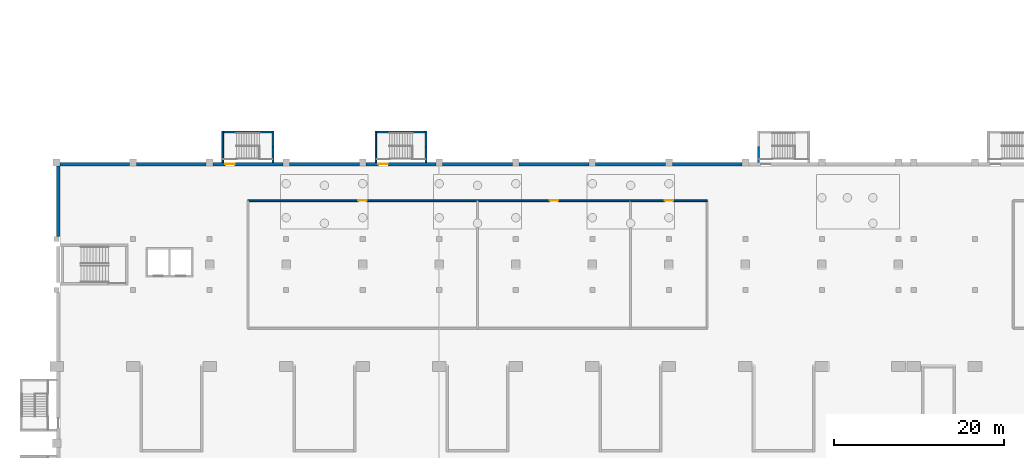
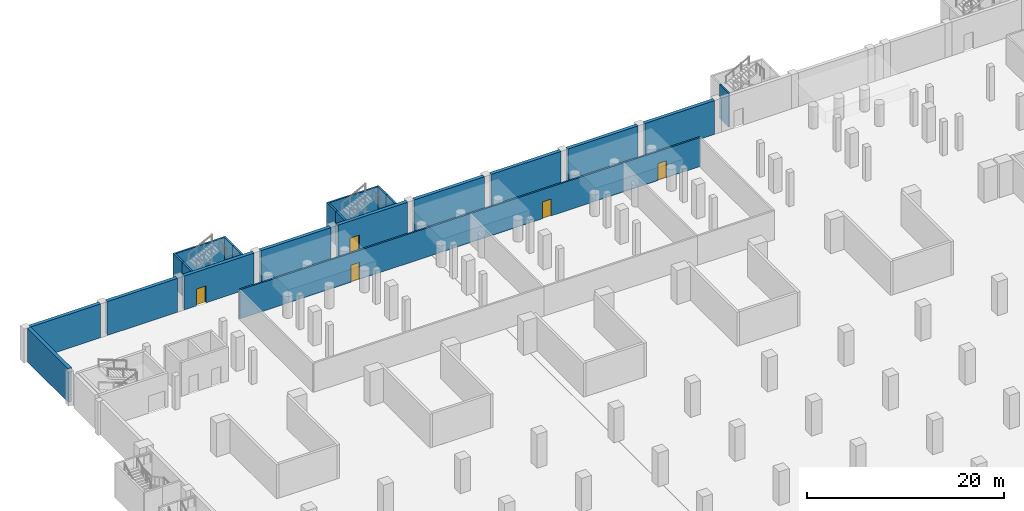
# One storey, part 18 of 27: 24 walls, 5 doors, 5 openings.
"""IFC4 building model written with IfcOpenShell, lengths in metres."""

from ifc_helpers import new_model, si_unit, direction, frame, frame_2d, origin, place, context, subcontext, project, spatial, rectangle, extrude, material, layer, layer_set, type_object, element, fill, save


model = new_model("IFC4")

# Units and contexts
model_context = context("Model", 3, precision=1e-05, world=origin(), true_north=direction((0.0, 1.0)))
body_context = subcontext(model_context, "Body", "Model", "MODEL_VIEW")
ifc_project = project(units=[si_unit("LENGTHUNIT", "METRE"), si_unit("AREAUNIT", "SQUARE_METRE"), si_unit("VOLUMEUNIT", "CUBIC_METRE"), si_unit("PLANEANGLEUNIT", "RADIAN"), si_unit("MASSUNIT", "GRAM", prefix="KILO")], contexts=[model_context])

# Site, building, storey
site_placement = place(None, origin())
site = spatial("IfcSite", under=ifc_project, at=site_placement, CompositionType="ELEMENT")
building_placement = place(site_placement, origin())
building = spatial("IfcBuilding", under=site, at=building_placement, Name="Aravalli Gate Trade Fair Centre", CompositionType="ELEMENT")
storey_placement = place(building_placement, frame((0.0, 0.0, -4.199951171875)))
storey = spatial("IfcBuildingStorey", under=building, at=storey_placement, Name="B1", CompositionType="ELEMENT", Elevation=-4.199951171875)

# Wall, opening, door
ifc_material_1 = material(Name="Concrete M30", Category="concrete")
ifc_layer_1 = layer(ifc_material_1, 0.199951171875)
ifc_layer_set_1 = layer_set([ifc_layer_1], Name="Concrete M30")
wall_type_1 = type_object("IfcWallType", Name="Basement plant room wall 200", PredefinedType="SOLIDWALL", material=ifc_layer_set_1)
wall_1_placement = place(storey_placement, frame((28.5, 128.5, 0.0), z_axis=(0.0, 0.0, 1.0), x_axis=(1.0, 0.0, 0.0)))
wall_1 = element("IfcWall", 1, at=wall_1_placement, inside=storey, type_object=wall_type_1, Name="Basement plant room wall B1 05.1", PredefinedType="SOLIDWALL", context=body_context, shape_type="SweptSolid", body=[
    extrude(rectangle(XDim=27.0, YDim=0.199951171875, at=frame_2d((13.5, 0.0))), origin(), (0.0, 0.0, 1.0), 3.599853515625),
])
opening_1_placement = place(wall_1_placement, frame((13.0, 0.0, 0.0)))
opening_1 = element("IfcOpeningElement", 2, at=opening_1_placement, cuts=wall_1, Name="Opening B-B1-15", PredefinedType="OPENING", context=body_context, shape_type="SweptSolid", body=[
    extrude(rectangle(XDim=1.0, YDim=2.10009765625, at=frame_2d((0.5, 1.050048828125))), frame((0.0, 0.10986328125, 0.0), z_axis=(0.0, -1.0, 0.0), x_axis=(1.0, 0.0, 0.0)), (0.0, 0.0, 1.0), 0.219970703125),
])
ifc_material_2 = material(Name="Steel", Category="steel")
door_type_1 = type_object("IfcDoorType", Name="Basement plant door 1000x2100", OperationType="SINGLE_SWING_LEFT", PredefinedType="DOOR", material=ifc_material_2)
door_1_placement = place(opening_1_placement, frame((1.0, 0.0, 0.0), z_axis=(0.0, 0.0, 1.0), x_axis=(-1.0, 0.0, 0.0)))
door_1 = element("IfcDoor", 3, at=door_1_placement, inside=storey, type_object=door_type_1, Name="Door boh B1", OperationType="SINGLE_SWING_RIGHT", OverallHeight=2.10009765625, OverallWidth=1.0, PredefinedType="DOOR", context=body_context, shape_type="SweptSolid", body=[
    extrude(rectangle(XDim=1.0, YDim=2.10009765625, at=frame_2d((0.5, 1.050048828125))), frame((0.0, 0.02490234375, 0.0), z_axis=(0.0, -1.0, 0.0), x_axis=(1.0, 0.0, 0.0)), (0.0, 0.0, 1.0), 0.050048828125),
])
fill(opening_1, door_1)

wall_2_placement = place(storey_placement, frame((55.5, 128.5, 0.0), z_axis=(0.0, 0.0, 1.0), x_axis=(1.0, 0.0, 0.0)))
wall_2 = element("IfcWall", 4, at=wall_2_placement, inside=storey, type_object=wall_type_1, Name="Basement plant room wall B1 06.1", PredefinedType="SOLIDWALL", context=body_context, shape_type="SweptSolid", body=[
    extrude(rectangle(XDim=18.0, YDim=0.199951171875, at=frame_2d((9.0, 0.0))), origin(), (0.0, 0.0, 1.0), 3.599853515625),
])
opening_2_placement = place(wall_2_placement, frame((8.5, 0.0, 0.0)))
opening_2 = element("IfcOpeningElement", 5, at=opening_2_placement, cuts=wall_2, Name="Opening B-B1-16", PredefinedType="OPENING", context=body_context, shape_type="SweptSolid", body=[
    extrude(rectangle(XDim=1.0, YDim=2.10009765625, at=frame_2d((0.5, 1.050048828125))), frame((0.0, 0.10986328125, 0.0), z_axis=(0.0, -1.0, 0.0), x_axis=(1.0, 0.0, 0.0)), (0.0, 0.0, 1.0), 0.219970703125),
])
door_2_placement = place(opening_2_placement, frame((1.0, 0.0, 0.0), z_axis=(0.0, 0.0, 1.0), x_axis=(-1.0, 0.0, 0.0)))
door_2 = element("IfcDoor", 6, at=door_2_placement, inside=storey, type_object=door_type_1, Name="Door ref B1", OperationType="SINGLE_SWING_LEFT", OverallHeight=2.10009765625, OverallWidth=1.0, PredefinedType="DOOR", context=body_context, shape_type="SweptSolid", body=[
    extrude(rectangle(XDim=1.0, YDim=2.10009765625, at=frame_2d((0.5, 1.050048828125))), frame((0.0, 0.02490234375, 0.0), z_axis=(0.0, -1.0, 0.0), x_axis=(1.0, 0.0, 0.0)), (0.0, 0.0, 1.0), 0.050048828125),
])
fill(opening_2, door_2)

wall_3_placement = place(storey_placement, frame((73.5, 128.5, 0.0), z_axis=(0.0, 0.0, 1.0), x_axis=(1.0, 0.0, 0.0)))
wall_3 = element("IfcWall", 7, at=wall_3_placement, inside=storey, type_object=wall_type_1, Name="Basement plant room wall B1 07.1", PredefinedType="SOLIDWALL", context=body_context, shape_type="SweptSolid", body=[
    extrude(rectangle(XDim=9.0, YDim=0.199951171875, at=frame_2d((4.5, 0.0))), origin(), (0.0, 0.0, 1.0), 3.599853515625),
])
opening_3_placement = place(wall_3_placement, frame((4.0, 0.0, 0.0)))
opening_3 = element("IfcOpeningElement", 8, at=opening_3_placement, cuts=wall_3, Name="Opening B-B1-17", PredefinedType="OPENING", context=body_context, shape_type="SweptSolid", body=[
    extrude(rectangle(XDim=1.0, YDim=2.10009765625, at=frame_2d((0.5, 1.050048828125))), frame((0.0, 0.10986328125, 0.0), z_axis=(0.0, -1.0, 0.0), x_axis=(1.0, 0.0, 0.0)), (0.0, 0.0, 1.0), 0.219970703125),
])
door_3_placement = place(opening_3_placement, origin())
door_3 = element("IfcDoor", 9, at=door_3_placement, inside=storey, type_object=door_type_1, Name="Door sec B1", OperationType="SINGLE_SWING_LEFT", OverallHeight=2.10009765625, OverallWidth=1.0, PredefinedType="DOOR", context=body_context, shape_type="SweptSolid", body=[
    extrude(rectangle(XDim=1.0, YDim=2.10009765625, at=frame_2d((0.5, 1.050048828125))), frame((0.0, 0.02490234375, 0.0), z_axis=(0.0, -1.0, 0.0), x_axis=(1.0, 0.0, 0.0)), (0.0, 0.0, 1.0), 0.050048828125),
])
fill(opening_3, door_3)

# Walls
ifc_material_3 = material(Name="Concrete M40", Category="concrete")
ifc_layer_2 = layer(ifc_material_3, 0.39990234375)
ifc_layer_set_2 = layer_set([ifc_layer_2], Name="Concrete M40")
wall_type_2 = type_object("IfcWallType", Name="Basement retaining wall 400", PredefinedType="SOLIDWALL", material=ifc_layer_set_2)
for number, where, z_axis, x_axis, name in (
    (10, (6.39990234375, 132.800048828125, 0.0), (0.0, 0.0, 1.0), (1.0, 0.0, 0.0), "Retaining wall N01 B1"),
    (11, (15.39990234375, 132.800048828125, 0.0), (0.0, 0.0, 1.0), (1.0, 0.0, 0.0), "Retaining wall N02 B1"),
):
    element("IfcWall", number, at=place(storey_placement, frame(where, z_axis=z_axis, x_axis=x_axis)), inside=storey, type_object=wall_type_2, Name=name, PredefinedType="SOLIDWALL", context=body_context, shape_type="SweptSolid", body=[
        extrude(rectangle(XDim=8.2001953125, YDim=0.39990234375, at=frame_2d((4.10009765625, 0.0))), origin(), (0.0, 0.0, 1.0), 4.199951171875),
    ])

# Wall, opening, door
wall_4_placement = place(storey_placement, frame((24.39990234375, 132.800048828125, 0.0), z_axis=(0.0, 0.0, 1.0), x_axis=(1.0, 0.0, 0.0)))
wall_4 = element("IfcWall", 12, at=wall_4_placement, inside=storey, type_object=wall_type_2, Name="Retaining wall N03 B1", PredefinedType="SOLIDWALL", context=body_context, shape_type="SweptSolid", body=[
    extrude(rectangle(XDim=8.2001953125, YDim=0.39990234375, at=frame_2d((4.10009765625, 0.0))), origin(), (0.0, 0.0, 1.0), 4.199951171875),
])
opening_4_placement = place(wall_4_placement, frame((1.449951171875, 0.0, 0.0)))
opening_4 = element("IfcOpeningElement", 13, at=opening_4_placement, cuts=wall_4, Name="Opening B-B1-04", PredefinedType="OPENING", context=body_context, shape_type="SweptSolid", body=[
    extrude(rectangle(XDim=1.10009765625, YDim=2.10009765625, at=frame_2d((0.550048828125, 1.050048828125))), frame((0.0, 0.2099609375, 0.0), z_axis=(0.0, -1.0, 0.0), x_axis=(1.0, 0.0, 0.0)), (0.0, 0.0, 1.0), 0.419921875),
])
door_type_2 = type_object("IfcDoorType", Name="Basement stair door 1100x2100", OperationType="SINGLE_SWING_LEFT", PredefinedType="DOOR", material=ifc_material_2)
door_4_placement = place(opening_4_placement, origin())
door_4 = element("IfcDoor", 14, at=door_4_placement, inside=storey, type_object=door_type_2, Name="Basement stair N1 door B1", OperationType="SINGLE_SWING_LEFT", OverallHeight=2.10009765625, OverallWidth=1.10009765625, PredefinedType="DOOR", context=body_context, shape_type="SweptSolid", body=[
    extrude(rectangle(XDim=1.10009765625, YDim=2.10009765625, at=frame_2d((0.550048828125, 1.050048828125))), frame((0.0, 0.02490234375, 0.0), z_axis=(0.0, -1.0, 0.0), x_axis=(1.0, 0.0, 0.0)), (0.0, 0.0, 1.0), 0.050048828125),
])
fill(opening_4, door_4)

# Wall
wall_5_placement = place(storey_placement, frame((33.39990234375, 132.800048828125, 0.0), z_axis=(0.0, 0.0, 1.0), x_axis=(1.0, 0.0, 0.0)))
element("IfcWall", 15, at=wall_5_placement, inside=storey, type_object=wall_type_2, Name="Retaining wall N04 B1", PredefinedType="SOLIDWALL", context=body_context, shape_type="SweptSolid", body=[
    extrude(rectangle(XDim=8.2001953125, YDim=0.39990234375, at=frame_2d((4.10009765625, 0.0))), origin(), (0.0, 0.0, 1.0), 4.199951171875),
])

# Wall, opening, door
wall_6_placement = place(storey_placement, frame((42.39990234375, 132.800048828125, 0.0), z_axis=(0.0, 0.0, 1.0), x_axis=(1.0, 0.0, 0.0)))
wall_6 = element("IfcWall", 16, at=wall_6_placement, inside=storey, type_object=wall_type_2, Name="Retaining wall N05 B1", PredefinedType="SOLIDWALL", context=body_context, shape_type="SweptSolid", body=[
    extrude(rectangle(XDim=8.2001953125, YDim=0.39990234375, at=frame_2d((4.10009765625, 0.0))), origin(), (0.0, 0.0, 1.0), 4.199951171875),
])
opening_5_placement = place(wall_6_placement, frame((1.449951171875, 0.0, 0.0)))
opening_5 = element("IfcOpeningElement", 17, at=opening_5_placement, cuts=wall_6, Name="Opening B-B1-05", PredefinedType="OPENING", context=body_context, shape_type="SweptSolid", body=[
    extrude(rectangle(XDim=1.10009765625, YDim=2.10009765625, at=frame_2d((0.550048828125, 1.050048828125))), frame((0.0, 0.2099609375, 0.0), z_axis=(0.0, -1.0, 0.0), x_axis=(1.0, 0.0, 0.0)), (0.0, 0.0, 1.0), 0.419921875),
])
door_5_placement = place(opening_5_placement, origin())
door_5 = element("IfcDoor", 18, at=door_5_placement, inside=storey, type_object=door_type_2, Name="Basement stair N2 door B1", OperationType="SINGLE_SWING_LEFT", OverallHeight=2.10009765625, OverallWidth=1.10009765625, PredefinedType="DOOR", context=body_context, shape_type="SweptSolid", body=[
    extrude(rectangle(XDim=1.10009765625, YDim=2.10009765625, at=frame_2d((0.550048828125, 1.050048828125))), frame((0.0, 0.02490234375, 0.0), z_axis=(0.0, -1.0, 0.0), x_axis=(1.0, 0.0, 0.0)), (0.0, 0.0, 1.0), 0.050048828125),
])
fill(opening_5, door_5)

# Walls
for number, where, z_axis, x_axis, name in (
    (19, (51.39990234375, 132.800048828125, 0.0), (0.0, 0.0, 1.0), (1.0, 0.0, 0.0), "Retaining wall N06 B1"),
    (20, (60.39990234375, 132.800048828125, 0.0), (0.0, 0.0, 1.0), (1.0, 0.0, 0.0), "Retaining wall N07 B1"),
    (21, (69.39990234375, 132.800048828125, 0.0), (0.0, 0.0, 1.0), (1.0, 0.0, 0.0), "Retaining wall N08 B1"),
    (22, (78.39990234375, 132.800048828125, 0.0), (0.0, 0.0, 1.0), (1.0, 0.0, 0.0), "Retaining wall N09 B1"),
):
    element("IfcWall", number, at=place(storey_placement, frame(where, z_axis=z_axis, x_axis=x_axis)), inside=storey, type_object=wall_type_2, Name=name, PredefinedType="SOLIDWALL", context=body_context, shape_type="SweptSolid", body=[
        extrude(rectangle(XDim=8.2001953125, YDim=0.39990234375, at=frame_2d((4.10009765625, 0.0))), origin(), (0.0, 0.0, 1.0), 4.199951171875),
    ])
wall_7_placement = place(storey_placement, frame((6.199951171875, 124.300048828125, 0.0), z_axis=(0.0, 0.0, 1.0), x_axis=(0.0, 1.0, 0.0)))
element("IfcWall", 23, at=wall_7_placement, inside=storey, type_object=wall_type_2, Name="Retaining wall W10 B1", PredefinedType="SOLIDWALL", context=body_context, shape_type="SweptSolid", body=[
    extrude(rectangle(XDim=8.300048828125, YDim=0.39990234375, at=frame_2d((4.14990234375, 0.0))), origin(), (0.0, 0.0, 1.0), 4.199951171875),
])
ifc_material_4 = material(Name="Concrete M35", Category="concrete")
ifc_layer_3 = layer(ifc_material_4, 0.199951171875)
ifc_layer_set_3 = layer_set([ifc_layer_3], Name="Concrete M35")
wall_type_3 = type_object("IfcWallType", Name="Basement stair enclosure wall 200", PredefinedType="SOLIDWALL", material=ifc_layer_set_3)
wall_8_placement = place(storey_placement, frame((31.449951171875, 133.0, 0.0), z_axis=(0.0, 0.0, 1.0), x_axis=(0.0, 1.0, 0.0)))
element("IfcWall", 24, at=wall_8_placement, inside=storey, type_object=wall_type_3, Name="Basement stair N1 enclosure wall L1 B1", PredefinedType="SOLIDWALL", context=body_context, shape_type="SweptSolid", body=[
    extrude(rectangle(XDim=1.840087890625, YDim=0.199951171875, at=frame_2d((0.919921875, 0.0))), origin(), (0.0, 0.0, 1.0), 4.199951171875),
])
wall_9_placement = place(storey_placement, frame((31.449951171875, 134.840087890625, 0.0), z_axis=(0.0, 0.0, 1.0), x_axis=(0.0, 1.0, 0.0)))
element("IfcWall", 25, at=wall_9_placement, inside=storey, type_object=wall_type_3, Name="Basement stair N1 enclosure wall L2 B1", PredefinedType="SOLIDWALL", context=body_context, shape_type="SweptSolid", body=[
    extrude(rectangle(XDim=1.83984375, YDim=0.199951171875, at=frame_2d((0.919921875, 0.0))), origin(), (0.0, 0.0, 1.0), 4.199951171875),
])
wall_10_placement = place(storey_placement, frame((25.550048828125, 133.0, 0.0), z_axis=(0.0, 0.0, 1.0), x_axis=(0.0, 1.0, 0.0)))
element("IfcWall", 26, at=wall_10_placement, inside=storey, type_object=wall_type_3, Name="Basement stair N1 enclosure wall R1 B1", PredefinedType="SOLIDWALL", context=body_context, shape_type="SweptSolid", body=[
    extrude(rectangle(XDim=1.840087890625, YDim=0.199951171875, at=frame_2d((0.919921875, 0.0))), origin(), (0.0, 0.0, 1.0), 4.199951171875),
])
wall_11_placement = place(storey_placement, frame((25.550048828125, 134.840087890625, 0.0), z_axis=(0.0, 0.0, 1.0), x_axis=(0.0, 1.0, 0.0)))
element("IfcWall", 27, at=wall_11_placement, inside=storey, type_object=wall_type_3, Name="Basement stair N1 enclosure wall R2 B1", PredefinedType="SOLIDWALL", context=body_context, shape_type="SweptSolid", body=[
    extrude(rectangle(XDim=1.83984375, YDim=0.199951171875, at=frame_2d((0.919921875, 0.0))), origin(), (0.0, 0.0, 1.0), 4.199951171875),
])
wall_12_placement = place(storey_placement, frame((31.35009765625, 136.580078125, 0.0), z_axis=(0.0, 0.0, 1.0), x_axis=(-1.0, 0.0, 0.0)))
element("IfcWall", 28, at=wall_12_placement, inside=storey, type_object=wall_type_3, Name="Basement stair N1 enclosure wall O B1", PredefinedType="SOLIDWALL", context=body_context, shape_type="SweptSolid", body=[
    extrude(rectangle(XDim=5.7001953125, YDim=0.199951171875, at=frame_2d((2.85009765625, 0.0))), origin(), (0.0, 0.0, 1.0), 4.199951171875),
])
wall_13_placement = place(storey_placement, frame((49.449951171875, 133.0, 0.0), z_axis=(0.0, 0.0, 1.0), x_axis=(0.0, 1.0, 0.0)))
element("IfcWall", 29, at=wall_13_placement, inside=storey, type_object=wall_type_3, Name="Basement stair N2 enclosure wall L1 B1", PredefinedType="SOLIDWALL", context=body_context, shape_type="SweptSolid", body=[
    extrude(rectangle(XDim=1.840087890625, YDim=0.199951171875, at=frame_2d((0.919921875, 0.0))), origin(), (0.0, 0.0, 1.0), 4.199951171875),
])
wall_14_placement = place(storey_placement, frame((49.449951171875, 134.840087890625, 0.0), z_axis=(0.0, 0.0, 1.0), x_axis=(0.0, 1.0, 0.0)))
element("IfcWall", 30, at=wall_14_placement, inside=storey, type_object=wall_type_3, Name="Basement stair N2 enclosure wall L2 B1", PredefinedType="SOLIDWALL", context=body_context, shape_type="SweptSolid", body=[
    extrude(rectangle(XDim=1.83984375, YDim=0.199951171875, at=frame_2d((0.919921875, 0.0))), origin(), (0.0, 0.0, 1.0), 4.199951171875),
])
wall_15_placement = place(storey_placement, frame((43.550048828125, 133.0, 0.0), z_axis=(0.0, 0.0, 1.0), x_axis=(0.0, 1.0, 0.0)))
element("IfcWall", 31, at=wall_15_placement, inside=storey, type_object=wall_type_3, Name="Basement stair N2 enclosure wall R1 B1", PredefinedType="SOLIDWALL", context=body_context, shape_type="SweptSolid", body=[
    extrude(rectangle(XDim=1.840087890625, YDim=0.199951171875, at=frame_2d((0.919921875, 0.0))), origin(), (0.0, 0.0, 1.0), 4.199951171875),
])
wall_16_placement = place(storey_placement, frame((43.550048828125, 134.840087890625, 0.0), z_axis=(0.0, 0.0, 1.0), x_axis=(0.0, 1.0, 0.0)))
element("IfcWall", 32, at=wall_16_placement, inside=storey, type_object=wall_type_3, Name="Basement stair N2 enclosure wall R2 B1", PredefinedType="SOLIDWALL", context=body_context, shape_type="SweptSolid", body=[
    extrude(rectangle(XDim=1.83984375, YDim=0.199951171875, at=frame_2d((0.919921875, 0.0))), origin(), (0.0, 0.0, 1.0), 4.199951171875),
])
wall_17_placement = place(storey_placement, frame((49.35009765625, 136.580078125, 0.0), z_axis=(0.0, 0.0, 1.0), x_axis=(-1.0, 0.0, 0.0)))
element("IfcWall", 33, at=wall_17_placement, inside=storey, type_object=wall_type_3, Name="Basement stair N2 enclosure wall O B1", PredefinedType="SOLIDWALL", context=body_context, shape_type="SweptSolid", body=[
    extrude(rectangle(XDim=5.7001953125, YDim=0.199951171875, at=frame_2d((2.85009765625, 0.0))), origin(), (0.0, 0.0, 1.0), 4.199951171875),
])
wall_18_placement = place(storey_placement, frame((88.550048828125, 133.0, 0.0), z_axis=(0.0, 0.0, 1.0), x_axis=(0.0, 1.0, 0.0)))
element("IfcWall", 34, at=wall_18_placement, inside=storey, type_object=wall_type_3, Name="Basement stair N3 enclosure wall R1 B1", PredefinedType="SOLIDWALL", context=body_context, shape_type="SweptSolid", body=[
    extrude(rectangle(XDim=1.840087890625, YDim=0.199951171875, at=frame_2d((0.919921875, 0.0))), origin(), (0.0, 0.0, 1.0), 4.199951171875),
])

save(model, "model.ifc")
